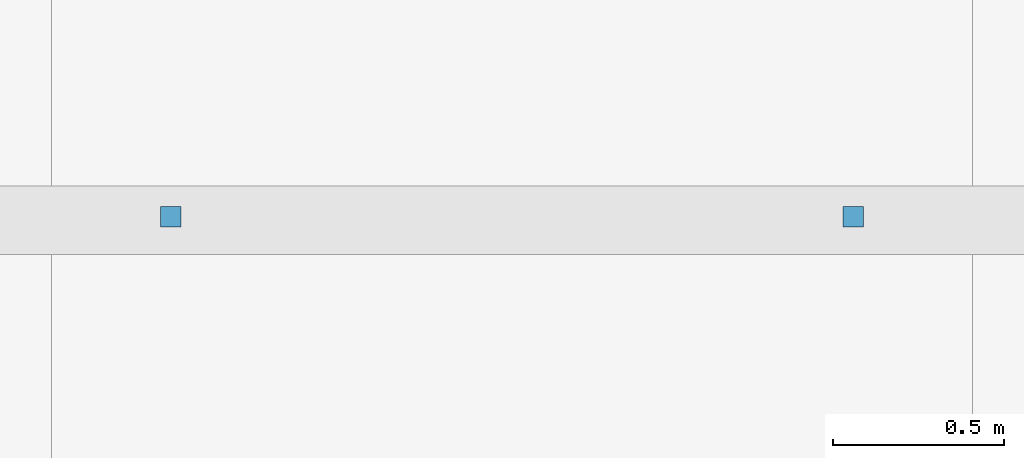
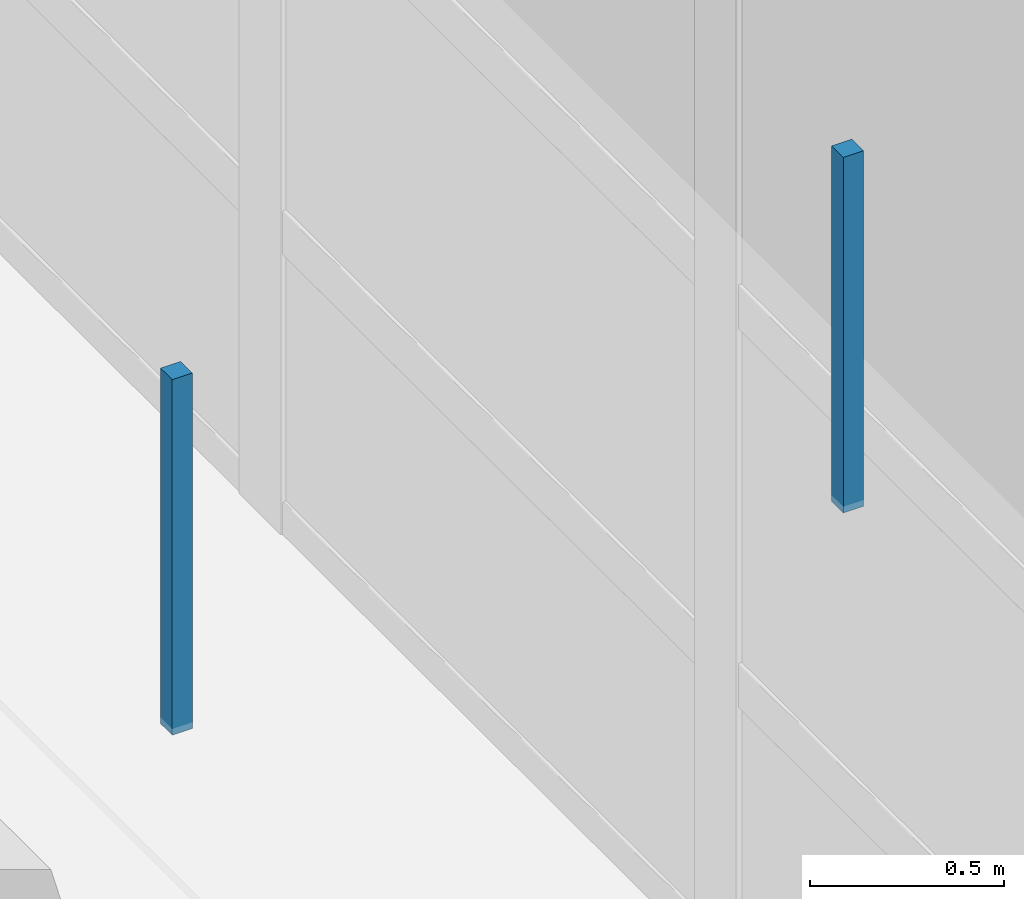
# One storey, part 87 of 107: 2 discrete accessories.
"""IFC4 building model written with IfcOpenShell, lengths in metres."""

from ifc_helpers import new_model, si_unit, direction, frame, origin, origin_2d, place, context, subcontext, project, spatial, rectangle, extrude, material, type_object, element, save


model = new_model("IFC4")

# Units and contexts
model_context = context("Model", 3, precision=1e-05, world=origin(), true_north=direction((0.0, 1.0)))
body_context = subcontext(model_context, "Body", "Model", "MODEL_VIEW")
ifc_project = project(units=[si_unit("LENGTHUNIT", "METRE"), si_unit("AREAUNIT", "SQUARE_METRE"), si_unit("VOLUMEUNIT", "CUBIC_METRE"), si_unit("PLANEANGLEUNIT", "RADIAN"), si_unit("MASSUNIT", "GRAM", prefix="KILO")], contexts=[model_context])

# Site, building, storey
site_placement = place(None, origin())
site = spatial("IfcSite", under=ifc_project, at=site_placement, CompositionType="ELEMENT")
building_placement = place(site_placement, origin())
building = spatial("IfcBuilding", under=site, at=building_placement, Name="Khelvaren Railside Concert Hall", CompositionType="ELEMENT")
storey_placement = place(building_placement, frame((0.0, 0.0, 15.0)))
storey = spatial("IfcBuildingStorey", under=building, at=storey_placement, Name="L03", CompositionType="ELEMENT", Elevation=15.0)

# Discrete accessories
ifc_material = material(Name="Galvanised steel acoustic ceiling hanger rod", Category="steel")
discrete_accessory_type = type_object("IfcDiscreteAccessoryType", Name="BRK62", PredefinedType="BRACKET", material=ifc_material)
for number, where, z_axis, x_axis, name in (
    (1, (180.85009765625, 15.2099609375, 3.429931640625), (0.0, 0.0, 1.0), (1.0, 0.0, 0.0), "Acoustic Ceiling Suspension Bracket 61-1"),
    (2, (182.85009765625, 15.2099609375, 3.429931640625), (0.0, 0.0, 1.0), (1.0, 0.0, 0.0), "Acoustic Ceiling Suspension Bracket 61-2"),
):
    element("IfcDiscreteAccessory", number, at=place(storey_placement, frame(where, z_axis=z_axis, x_axis=x_axis)), inside=storey, type_object=discrete_accessory_type, Name=name, PredefinedType="BRACKET", context=body_context, shape_type="SweptSolid", body=[
        extrude(rectangle(XDim=0.06005859375, YDim=0.06005859375, at=origin_2d()), origin(), (0.0, 0.0, 1.0), 1.1201171875),
    ])

save(model, "model.ifc")
